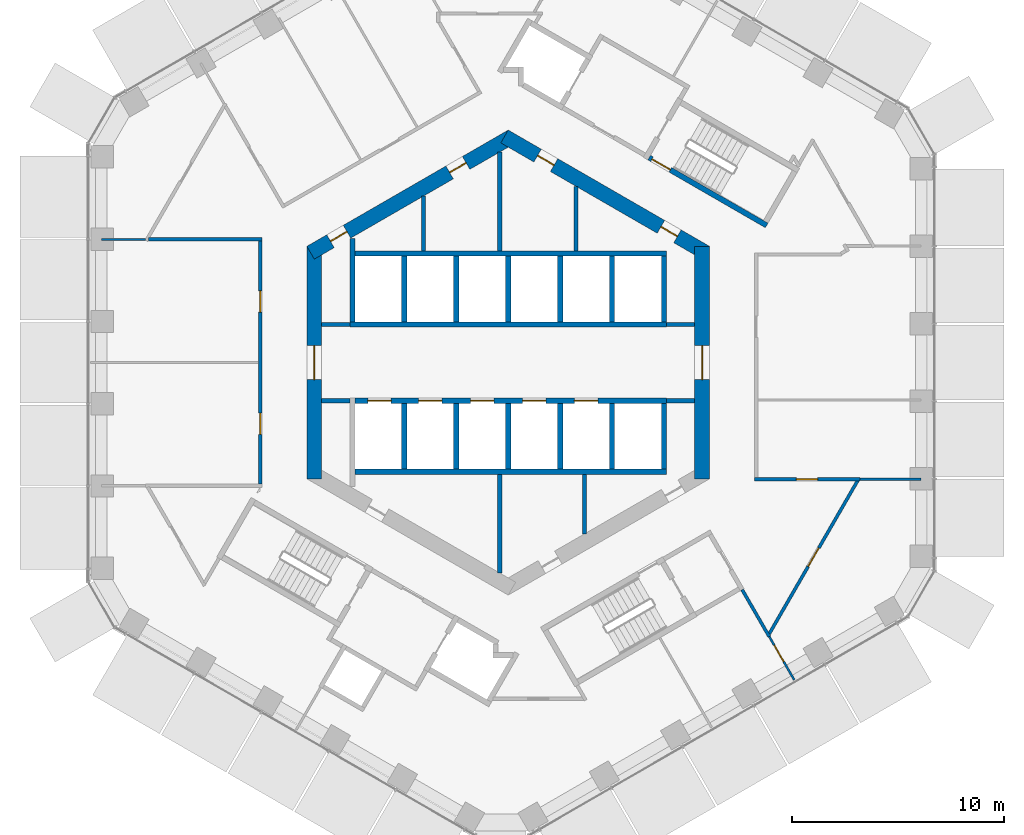
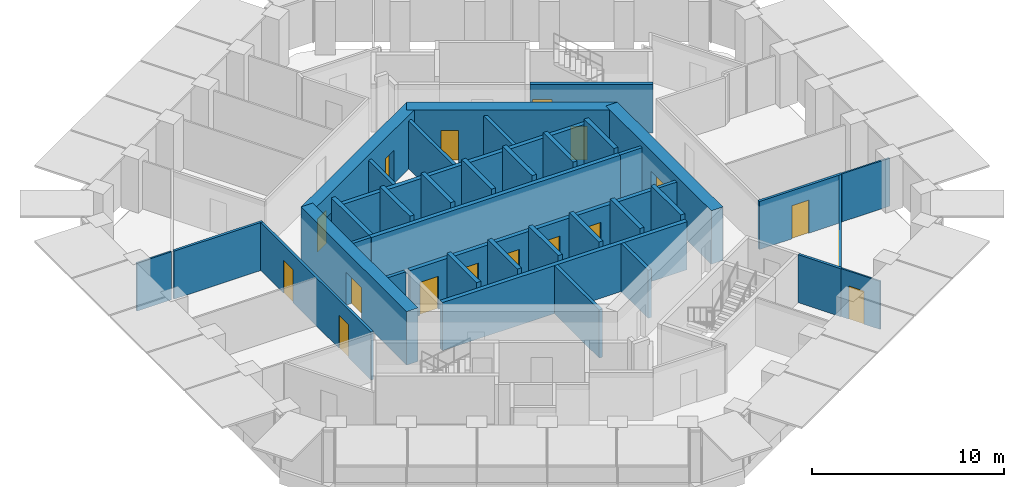
# One storey, part 14 of 19: 39 walls, 17 doors, 17 openings.
"""IFC4 building model written with IfcOpenShell, lengths in metres."""

import ifcopenshell
import ifcopenshell.guid

model = None  # the IFC model being written
_history = None  # IfcOwnerHistory: only IFC2X3 demands one
_inside = {}  # id of a spatial element -> (the spatial element, [elements in it])
_under = {}  # id of a project, library or spatial element -> (it, [spatial elements below it])
_declared = {}  # id of a project -> (the project, [libraries it declares])
_typed = {}  # id of a type object -> (the type object, [elements of that type])
_made_of = {}  # id of a material, layer set ... -> (it, [elements and type objects made of it])


def new_model(schema):
    """Start an empty IFC model of exactly this schema.

    Asked for "IFC4X3", IfcOpenShell would pick the latest addendum, in which some entities
    have other attributes; the version numbers below select the first issue.
    IFC2X3 requires an IfcOwnerHistory on every rooted entity: one is made here for all.
    """
    global model, _history
    if schema == "IFC4X3":
        model = ifcopenshell.file(schema_version=(4, 3, 0, 0))
    else:
        model = ifcopenshell.file(schema=schema)
    _inside.clear()
    _under.clear()
    _declared.clear()
    _typed.clear()
    _made_of.clear()
    _history = None
    if model.schema == "IFC2X3":
        org = make("IfcOrganization", Name="unknown")
        user = make(
            "IfcPersonAndOrganization",
            ThePerson=make("IfcPerson", FamilyName="unknown"),
            TheOrganization=org,
        )
        app = make(
            "IfcApplication",
            ApplicationDeveloper=org,
            Version="unknown",
            ApplicationFullName="unknown",
            ApplicationIdentifier="unknown",
        )
        _history = make(
            "IfcOwnerHistory",
            OwningUser=user,
            OwningApplication=app,
            ChangeAction="ADDED",
            CreationDate=0,
        )
    return model


def make(cls, **values):
    """One entity of the class cls with the attributes given. An attribute that is None is left unset."""
    return model.create_entity(
        cls, **{name: value for name, value in values.items() if value is not None}
    )


def rooted(cls, **values):
    """An entity with a GlobalId (a new one), such as an element, a storey or a relation."""
    return make(cls, GlobalId=ifcopenshell.guid.new(), OwnerHistory=_history, **values)


def si_unit(unit_type, name, prefix=None):
    """IfcSIUnit, for example si_unit("LENGTHUNIT", "METRE", prefix="MILLI")."""
    return make("IfcSIUnit", UnitType=unit_type, Prefix=prefix, Name=name)


def assignment(units):
    """IfcUnitAssignment: the units of a project."""
    return None if units is None else make("IfcUnitAssignment", Units=units)


def point(xyz):
    """IfcCartesianPoint."""
    return None if xyz is None else make("IfcCartesianPoint", Coordinates=xyz)


def direction(xyz):
    """IfcDirection."""
    return None if xyz is None else make("IfcDirection", DirectionRatios=xyz)


def frame(location, z_axis=None, x_axis=None):
    """IfcAxis2Placement3D, a coordinate frame: its origin and axes. An axis left out is left unset."""
    return make(
        "IfcAxis2Placement3D",
        Location=point(location),
        Axis=direction(z_axis),
        RefDirection=direction(x_axis),
    )


def frame_2d(location, x_axis=None):
    """IfcAxis2Placement2D, a coordinate frame in the plane: its origin and x axis."""
    return make(
        "IfcAxis2Placement2D", Location=point(location), RefDirection=direction(x_axis)
    )


def origin():
    """The frame at (0, 0, 0) with its axes left unset."""
    return frame((0.0, 0.0, 0.0))


def place(relative_to, where):
    """IfcLocalPlacement: puts the frame where relative to a parent placement (None: the world)."""
    return make(
        "IfcLocalPlacement", PlacementRelTo=relative_to, RelativePlacement=where
    )


def context(
    kind, dimensions, precision=None, world=None, true_north=None, identifier=None
):
    """IfcGeometricRepresentationContext, for example the 3D "Model" context."""
    return make(
        "IfcGeometricRepresentationContext",
        ContextIdentifier=identifier,
        ContextType=kind,
        CoordinateSpaceDimension=dimensions,
        Precision=precision,
        WorldCoordinateSystem=world,
        TrueNorth=true_north,
    )


def subcontext(parent, identifier, kind, view, scale=None):
    """IfcGeometricRepresentationSubContext, for example "Body" below "Model"."""
    return make(
        "IfcGeometricRepresentationSubContext",
        ContextIdentifier=identifier,
        ContextType=kind,
        ParentContext=parent,
        TargetScale=scale,
        TargetView=view,
    )


def project(units=None, contexts=None):
    """IfcProject with its units and contexts."""
    return rooted(
        "IfcProject",
        Name="project",
        RepresentationContexts=contexts,
        UnitsInContext=assignment(units),
    )


def spatial(cls, under=None, at=None, **own):
    """A site, building, storey or space (cls), placed at a placement, below another one or the project."""
    s = rooted(cls, ObjectPlacement=at, **own)
    if under is not None:
        _under.setdefault(under.id(), (under, []))[1].append(s)
    return s


def profile(cls, at=None, kind="AREA", **sizes):
    """A parametric profile (cls). Its sizes go by their IFC names, for example OverallWidth=200.0."""
    return make(cls, ProfileType=kind, Position=at, **sizes)


def rectangle(**sizes):
    """IfcRectangleProfileDef."""
    return profile("IfcRectangleProfileDef", **sizes)


def extrude(swept, where, along, depth):
    """IfcExtrudedAreaSolid: the profile swept, set in the frame where, extruded along a direction by depth."""
    return make(
        "IfcExtrudedAreaSolid",
        SweptArea=swept,
        Position=where,
        ExtrudedDirection=direction(along),
        Depth=depth,
    )


def shape(context_of_items, identifier, shape_type, items):
    """IfcShapeRepresentation: the items that make up one representation, for example the "Body"."""
    return make(
        "IfcShapeRepresentation",
        ContextOfItems=context_of_items,
        RepresentationIdentifier=identifier,
        RepresentationType=shape_type,
        Items=items,
    )


def material(Name=None, Category=None):
    """IfcMaterial."""
    return make("IfcMaterial", Name=Name, Category=Category)


def layer(
    of_material, thickness, ventilated=None, Name=None, Category=None, Priority=None
):
    """IfcMaterialLayer: one layer of a wall or slab, of a material (None: an air gap)."""
    return make(
        "IfcMaterialLayer",
        Material=of_material,
        LayerThickness=thickness,
        IsVentilated=ventilated,
        Name=Name,
        Category=Category,
        Priority=Priority,
    )


def layer_set(layers, Name=None):
    """IfcMaterialLayerSet."""
    return make("IfcMaterialLayerSet", MaterialLayers=layers, LayerSetName=Name)


def made_of(thing, what):
    """Note that an element or type object is made of a material, layer set ...; save() writes the relation."""
    if what is not None:
        _made_of.setdefault(what.id(), (what, []))[1].append(thing)
    return thing


def type_object(cls, material=None, **own):
    """A type object (cls), such as IfcWallType, which elements share."""
    return made_of(rooted(cls, **own), material)


def element(
    cls,
    number,
    at=None,
    inside=None,
    cuts=None,
    type_object=None,
    material=None,
    context=None,
    identifier="Body",
    shape_type=None,
    held_by="IfcProductDefinitionShape",
    body=None,
    shapes=None,
    **own,
):
    """One element of the class cls, such as IfcWall. Its Tag is "e" and its number.

    at: its placement. inside: the storey or other place that contains it. cuts: it is an
    opening in that element (IfcRelVoidsElement). A single representation is given by context,
    identifier, shape_type and body (its items); several are given by shapes. held_by: the class
    of the entity that holds the representations. save() writes the other relations.
    """
    e = rooted(cls, Tag="e%d" % number, ObjectPlacement=at, **own)
    if body is not None:
        shapes = [shape(context, identifier, shape_type, body)]
    if shapes is not None:
        e.Representation = make(held_by, Representations=shapes)
    if inside is not None:
        _inside.setdefault(inside.id(), (inside, []))[1].append(e)
    if cuts is not None:
        rooted(
            "IfcRelVoidsElement", RelatingBuildingElement=cuts, RelatedOpeningElement=e
        )
    if type_object is not None:
        _typed.setdefault(type_object.id(), (type_object, []))[1].append(e)
    return made_of(e, material)


def fill(opening, filler):
    """IfcRelFillsElement: the door or window that sits in an opening."""
    return rooted(
        "IfcRelFillsElement",
        RelatingOpeningElement=opening,
        RelatedBuildingElement=filler,
    )


def aggregate(whole, parts):
    """IfcRelAggregates: a whole, such as a stair, and the parts it consists of."""
    return rooted("IfcRelAggregates", RelatingObject=whole, RelatedObjects=parts)


def save(model, path):
    """Write the relations noted so far, then the file.

    IfcRelAggregates (storeys below a building ...), IfcRelContainedInSpatialStructure (elements
    in a storey), IfcRelDefinesByType, IfcRelAssociatesMaterial and IfcRelDeclares: one each for
    every whole, place, type object, material and project.
    """
    for whole, parts in _under.values():
        aggregate(whole, parts)
    for where, things in _inside.values():
        rooted(
            "IfcRelContainedInSpatialStructure",
            RelatedElements=things,
            RelatingStructure=where,
        )
    for kind, things in _typed.values():
        rooted("IfcRelDefinesByType", RelatedObjects=things, RelatingType=kind)
    for what, things in _made_of.values():
        rooted("IfcRelAssociatesMaterial", RelatedObjects=things, RelatingMaterial=what)
    for by, libraries in _declared.values():
        rooted("IfcRelDeclares", RelatingContext=by, RelatedDefinitions=libraries)
    model.write(path)


model = new_model("IFC4")

# Units and contexts
model_context = context("Model", 3, precision=1e-05, world=origin(), true_north=direction((0.0, 1.0)))
body_context = subcontext(model_context, "Body", "Model", "MODEL_VIEW")
ifc_project = project(units=[si_unit("LENGTHUNIT", "METRE"), si_unit("AREAUNIT", "SQUARE_METRE"), si_unit("VOLUMEUNIT", "CUBIC_METRE"), si_unit("PLANEANGLEUNIT", "RADIAN"), si_unit("MASSUNIT", "GRAM", prefix="KILO")], contexts=[model_context])

# Site, building, storey
site_placement = place(None, origin())
site = spatial("IfcSite", under=ifc_project, at=site_placement, CompositionType="ELEMENT")
building_placement = place(site_placement, origin())
building = spatial("IfcBuilding", under=site, at=building_placement, Name="Ayvan Gate Tower", CompositionType="ELEMENT")
storey_placement = place(building_placement, frame((0.0, 0.0, 100.10009765625)))
storey = spatial("IfcBuildingStorey", under=building, at=storey_placement, Name="L26", CompositionType="ELEMENT", Elevation=100.10009765625)

# Wall, opening, door
ifc_material_1 = material(Name="Concrete C70/85", Category="concrete")
ifc_layer_1 = layer(ifc_material_1, 0.699951171875)
ifc_layer_set_1 = layer_set([ifc_layer_1], Name="Concrete C70/85")
wall_type_1 = type_object("IfcWallType", Name="Core wall 700 C70/85", PredefinedType="SHEAR", material=ifc_layer_set_1)
wall_1_placement = place(storey_placement, frame((9.14990234375, -5.48486328125, 0.0), z_axis=(0.0, 0.0, 1.0), x_axis=(0.0, 1.0, 0.0)))
wall_1 = element("IfcWall", 1, at=wall_1_placement, inside=storey, type_object=wall_type_1, Name="CORE-L26-0", PredefinedType="SHEAR", context=body_context, shape_type="SweptSolid", body=[
    extrude(rectangle(XDim=10.9697265625, YDim=0.699951171875, at=frame_2d((5.48486328125, 0.0))), origin(), (0.0, 0.0, 1.0), 3.39990234375),
])
opening_1_placement = place(wall_1_placement, frame((4.684814453125, 0.0, 0.0)))
opening_1 = element("IfcOpeningElement", 2, at=opening_1_placement, cuts=wall_1, Name="Opening L26-D39", PredefinedType="OPENING", context=body_context, shape_type="SweptSolid", body=[
    extrude(rectangle(XDim=1.60009765625, YDim=2.10009765625, at=frame_2d((0.800048828125, 1.050048828125))), frame((0.0, 0.35986328125, 0.0), z_axis=(0.0, -1.0, 0.0), x_axis=(1.0, 0.0, 0.0)), (0.0, 0.0, 1.0), 0.719970703125),
])
ifc_material_2 = material(Name="Timber door leaf", Category="wood")
door_type_1 = type_object("IfcDoorType", Name="DT-1600", OperationType="NOTDEFINED", PredefinedType="DOOR", material=ifc_material_2)
door_1_placement = place(opening_1_placement, origin())
door_1 = element("IfcDoor", 3, at=door_1_placement, inside=storey, type_object=door_type_1, Name="CD-L26-39", OperationType="SINGLE_SWING_LEFT", OverallHeight=2.10009765625, OverallWidth=1.60009765625, PredefinedType="DOOR", context=body_context, shape_type="SweptSolid", body=[
    extrude(rectangle(XDim=1.60009765625, YDim=2.10009765625, at=frame_2d((0.800048828125, 1.050048828125))), frame((0.0, 0.02490234375, 0.0), z_axis=(0.0, -1.0, 0.0), x_axis=(1.0, 0.0, 0.0)), (0.0, 0.0, 1.0), 0.050048828125),
])
fill(opening_1, door_1)

# Wall, openings, doors
wall_2_placement = place(storey_placement, frame((9.324951171875, 5.181640625, 0.0), z_axis=(0.0, 0.0, 1.0), x_axis=(-0.866023993627, 0.500002442456, 0.0)))
wall_2 = element("IfcWall", 4, at=wall_2_placement, inside=storey, type_object=wall_type_1, Name="CORE-L26-1", PredefinedType="SHEAR", context=body_context, shape_type="SweptSolid", body=[
    extrude(rectangle(XDim=10.9697265625, YDim=0.699951171875, at=frame_2d((5.48486328125, 0.0))), origin(), (0.0, 0.0, 1.0), 3.39990234375),
])
opening_2_placement = place(wall_2_placement, frame((8.267333984375, 0.0, 0.0)))
opening_2 = element("IfcOpeningElement", 5, at=opening_2_placement, cuts=wall_2, Name="Opening L26-D34", PredefinedType="OPENING", context=body_context, shape_type="SweptSolid", body=[
    extrude(rectangle(XDim=0.89990234375, YDim=2.10009765625, at=frame_2d((0.449951171875, 1.050048828125))), frame((0.0, 0.35986328125, 0.0), z_axis=(0.0, -1.0, 0.0), x_axis=(1.0, 0.0, 0.0)), (0.0, 0.0, 1.0), 0.719970703125),
])
opening_3_placement = place(wall_2_placement, frame((1.547119140625, 0.0, 0.0)))
opening_3 = element("IfcOpeningElement", 6, at=opening_3_placement, cuts=wall_2, Name="Opening L26-D35", PredefinedType="OPENING", context=body_context, shape_type="SweptSolid", body=[
    extrude(rectangle(XDim=0.89990234375, YDim=2.10009765625, at=frame_2d((0.449951171875, 1.050048828125))), frame((0.0, 0.35986328125, 0.0), z_axis=(0.0, -1.0, 0.0), x_axis=(1.0, 0.0, 0.0)), (0.0, 0.0, 1.0), 0.719970703125),
])
door_type_2 = type_object("IfcDoorType", Name="DT-900", OperationType="NOTDEFINED", PredefinedType="DOOR", material=ifc_material_2)
door_2_placement = place(opening_2_placement, origin())
door_2 = element("IfcDoor", 7, at=door_2_placement, inside=storey, type_object=door_type_2, Name="CD-L26-34", OperationType="SINGLE_SWING_RIGHT", OverallHeight=2.10009765625, OverallWidth=0.89990234375, PredefinedType="DOOR", context=body_context, shape_type="SweptSolid", body=[
    extrude(rectangle(XDim=0.89990234375, YDim=2.10009765625, at=frame_2d((0.449951171875, 1.050048828125))), frame((0.0, 0.02490234375, 0.0), z_axis=(0.0, -1.0, 0.0), x_axis=(1.0, 0.0, 0.0)), (0.0, 0.0, 1.0), 0.050048828125),
])
fill(opening_2, door_2)
door_3_placement = place(opening_3_placement, origin())
door_3 = element("IfcDoor", 8, at=door_3_placement, inside=storey, type_object=door_type_2, Name="CD-L26-35", OperationType="SINGLE_SWING_LEFT", OverallHeight=2.10009765625, OverallWidth=0.89990234375, PredefinedType="DOOR", context=body_context, shape_type="SweptSolid", body=[
    extrude(rectangle(XDim=0.89990234375, YDim=2.10009765625, at=frame_2d((0.449951171875, 1.050048828125))), frame((0.0, 0.02490234375, 0.0), z_axis=(0.0, -1.0, 0.0), x_axis=(1.0, 0.0, 0.0)), (0.0, 0.0, 1.0), 0.050048828125),
])
fill(opening_3, door_3)

wall_3_placement = place(storey_placement, frame((0.175048828125, 10.66650390625, 0.0), z_axis=(0.0, 0.0, 1.0), x_axis=(-0.866023993627, -0.500002442456, 0.0)))
wall_3 = element("IfcWall", 9, at=wall_3_placement, inside=storey, type_object=wall_type_1, Name="CORE-L26-2", PredefinedType="SHEAR", context=body_context, shape_type="SweptSolid", body=[
    extrude(rectangle(XDim=10.9697265625, YDim=0.699951171875, at=frame_2d((5.48486328125, 0.0))), origin(), (0.0, 0.0, 1.0), 3.39990234375),
])
opening_4_placement = place(wall_3_placement, frame((8.984619140625, 0.0, 0.0)))
opening_4 = element("IfcOpeningElement", 10, at=opening_4_placement, cuts=wall_3, Name="Opening L26-D32", PredefinedType="OPENING", context=body_context, shape_type="SweptSolid", body=[
    extrude(rectangle(XDim=0.89990234375, YDim=2.10009765625, at=frame_2d((0.449951171875, 1.050048828125))), frame((0.0, 0.35986328125, 0.0), z_axis=(0.0, -1.0, 0.0), x_axis=(1.0, 0.0, 0.0)), (0.0, 0.0, 1.0), 0.719970703125),
])
opening_5_placement = place(wall_3_placement, frame((2.4951171875, 0.0, 0.0)))
opening_5 = element("IfcOpeningElement", 11, at=opening_5_placement, cuts=wall_3, Name="Opening L26-D33", PredefinedType="OPENING", context=body_context, shape_type="SweptSolid", body=[
    extrude(rectangle(XDim=0.89990234375, YDim=2.10009765625, at=frame_2d((0.449951171875, 1.050048828125))), frame((0.0, 0.35986328125, 0.0), z_axis=(0.0, -1.0, 0.0), x_axis=(1.0, 0.0, 0.0)), (0.0, 0.0, 1.0), 0.719970703125),
])
door_4_placement = place(opening_4_placement, origin())
door_4 = element("IfcDoor", 12, at=door_4_placement, inside=storey, type_object=door_type_2, Name="CD-L26-32", OperationType="SINGLE_SWING_RIGHT", OverallHeight=2.10009765625, OverallWidth=0.89990234375, PredefinedType="DOOR", context=body_context, shape_type="SweptSolid", body=[
    extrude(rectangle(XDim=0.89990234375, YDim=2.10009765625, at=frame_2d((0.449951171875, 1.050048828125))), frame((0.0, 0.02490234375, 0.0), z_axis=(0.0, -1.0, 0.0), x_axis=(1.0, 0.0, 0.0)), (0.0, 0.0, 1.0), 0.050048828125),
])
fill(opening_4, door_4)
door_5_placement = place(opening_5_placement, origin())
door_5 = element("IfcDoor", 13, at=door_5_placement, inside=storey, type_object=door_type_2, Name="CD-L26-33", OperationType="SINGLE_SWING_LEFT", OverallHeight=2.10009765625, OverallWidth=0.89990234375, PredefinedType="DOOR", context=body_context, shape_type="SweptSolid", body=[
    extrude(rectangle(XDim=0.89990234375, YDim=2.10009765625, at=frame_2d((0.449951171875, 1.050048828125))), frame((0.0, 0.02490234375, 0.0), z_axis=(0.0, -1.0, 0.0), x_axis=(1.0, 0.0, 0.0)), (0.0, 0.0, 1.0), 0.050048828125),
])
fill(opening_5, door_5)

# Wall, opening, door
wall_4_placement = place(storey_placement, frame((-9.14990234375, 5.48486328125, 0.0), z_axis=(0.0, 0.0, 1.0), x_axis=(0.0, -1.0, 0.0)))
wall_4 = element("IfcWall", 14, at=wall_4_placement, inside=storey, type_object=wall_type_1, Name="CORE-L26-3", PredefinedType="SHEAR", context=body_context, shape_type="SweptSolid", body=[
    extrude(rectangle(XDim=10.9697265625, YDim=0.699951171875, at=frame_2d((5.48486328125, 0.0))), origin(), (0.0, 0.0, 1.0), 3.39990234375),
])
opening_6_placement = place(wall_4_placement, frame((4.684814453125, 0.0, 0.0)))
opening_6 = element("IfcOpeningElement", 15, at=opening_6_placement, cuts=wall_4, Name="Opening L26-D40", PredefinedType="OPENING", context=body_context, shape_type="SweptSolid", body=[
    extrude(rectangle(XDim=1.60009765625, YDim=2.10009765625, at=frame_2d((0.800048828125, 1.050048828125))), frame((0.0, 0.35986328125, 0.0), z_axis=(0.0, -1.0, 0.0), x_axis=(1.0, 0.0, 0.0)), (0.0, 0.0, 1.0), 0.719970703125),
])
door_6_placement = place(opening_6_placement, origin())
door_6 = element("IfcDoor", 16, at=door_6_placement, inside=storey, type_object=door_type_1, Name="CD-L26-40", OperationType="SINGLE_SWING_RIGHT", OverallHeight=2.10009765625, OverallWidth=1.60009765625, PredefinedType="DOOR", context=body_context, shape_type="SweptSolid", body=[
    extrude(rectangle(XDim=1.60009765625, YDim=2.10009765625, at=frame_2d((0.800048828125, 1.050048828125))), frame((0.0, 0.02490234375, 0.0), z_axis=(0.0, -1.0, 0.0), x_axis=(1.0, 0.0, 0.0)), (0.0, 0.0, 1.0), 0.050048828125),
])
fill(opening_6, door_6)

# Wall
ifc_material_3 = material(Name="Plasterboard on steel stud", Category="steel")
ifc_layer_2 = layer(ifc_material_3, 0.14990234375)
ifc_layer_set_2 = layer_set([ifc_layer_2], Name="Plasterboard on steel stud")
wall_type_2 = type_object("IfcWallType", Name="WT-CORR-150", PredefinedType="PARTITIONING", material=ifc_layer_set_2)
wall_5_placement = place(storey_placement, frame((-11.625, 5.813720703125, 0.0), z_axis=(0.0, 0.0, 1.0), x_axis=(-1.0, 0.0, 0.0)))
element("IfcWall", 17, at=wall_5_placement, inside=storey, type_object=wall_type_2, Name="IW-L26-011", PredefinedType="PARTITIONING", context=body_context, shape_type="SweptSolid", body=[
    extrude(rectangle(XDim=5.3408203125, YDim=0.14990234375, at=frame_2d((2.67041015625, 0.0))), origin(), (0.0, 0.0, 1.0), 3.0498046875),
])

# Wall, openings, doors
wall_6_placement = place(storey_placement, frame((-11.699951171875, -5.738525390625, 0.0), z_axis=(0.0, 0.0, 1.0), x_axis=(0.0, 1.0, 0.0)))
wall_6 = element("IfcWall", 18, at=wall_6_placement, inside=storey, type_object=wall_type_2, Name="IW-L26-012", PredefinedType="PARTITIONING", context=body_context, shape_type="SweptSolid", body=[
    extrude(rectangle(XDim=11.47705078125, YDim=0.14990234375, at=frame_2d((5.738525390625, 0.0))), origin(), (0.0, 0.0, 1.0), 3.0498046875),
])
opening_7_placement = place(wall_6_placement, frame((8.122802734375, 0.0, 0.0)))
opening_7 = element("IfcOpeningElement", 19, at=opening_7_placement, cuts=wall_6, Name="Opening L26-D23", PredefinedType="OPENING", context=body_context, shape_type="SweptSolid", body=[
    extrude(rectangle(XDim=1.0, YDim=2.10009765625, at=frame_2d((0.5, 1.050048828125))), frame((0.0, 0.0849609375, 0.0), z_axis=(0.0, -1.0, 0.0), x_axis=(1.0, 0.0, 0.0)), (0.0, 0.0, 1.0), 0.169921875),
])
opening_8_placement = place(wall_6_placement, frame((2.354248046875, 0.0, 0.0)))
opening_8 = element("IfcOpeningElement", 20, at=opening_8_placement, cuts=wall_6, Name="Opening L26-D24", PredefinedType="OPENING", context=body_context, shape_type="SweptSolid", body=[
    extrude(rectangle(XDim=1.0, YDim=2.10009765625, at=frame_2d((0.5, 1.050048828125))), frame((0.0, 0.0849609375, 0.0), z_axis=(0.0, -1.0, 0.0), x_axis=(1.0, 0.0, 0.0)), (0.0, 0.0, 1.0), 0.169921875),
])
door_type_3 = type_object("IfcDoorType", Name="DT-1000", OperationType="NOTDEFINED", PredefinedType="DOOR", material=ifc_material_2)
door_7_placement = place(opening_7_placement, origin())
door_7 = element("IfcDoor", 21, at=door_7_placement, inside=storey, type_object=door_type_3, Name="ID-L26-023", OperationType="SINGLE_SWING_LEFT", OverallHeight=2.10009765625, OverallWidth=1.0, PredefinedType="DOOR", context=body_context, shape_type="SweptSolid", body=[
    extrude(rectangle(XDim=1.0, YDim=2.10009765625, at=frame_2d((0.5, 1.050048828125))), frame((0.0, 0.02490234375, 0.0), z_axis=(0.0, -1.0, 0.0), x_axis=(1.0, 0.0, 0.0)), (0.0, 0.0, 1.0), 0.050048828125),
])
fill(opening_7, door_7)
door_8_placement = place(opening_8_placement, origin())
door_8 = element("IfcDoor", 22, at=door_8_placement, inside=storey, type_object=door_type_3, Name="ID-L26-024", OperationType="SINGLE_SWING_RIGHT", OverallHeight=2.10009765625, OverallWidth=1.0, PredefinedType="DOOR", context=body_context, shape_type="SweptSolid", body=[
    extrude(rectangle(XDim=1.0, YDim=2.10009765625, at=frame_2d((0.5, 1.050048828125))), frame((0.0, 0.02490234375, 0.0), z_axis=(0.0, -1.0, 0.0), x_axis=(1.0, 0.0, 0.0)), (0.0, 0.0, 1.0), 0.050048828125),
])
fill(opening_8, door_8)

# Wall, opening, door
wall_7_placement = place(storey_placement, frame((11.625, -5.505126953125, 0.0), z_axis=(0.0, 0.0, 1.0), x_axis=(1.0, 0.0, 0.0)))
wall_7 = element("IfcWall", 23, at=wall_7_placement, inside=storey, type_object=wall_type_2, Name="IW-L26-090", PredefinedType="PARTITIONING", context=body_context, shape_type="SweptSolid", body=[
    extrude(rectangle(XDim=4.97607421875, YDim=0.14990234375, at=frame_2d((2.488037109375, 0.0))), origin(), (0.0, 0.0, 1.0), 3.0498046875),
])
opening_9_placement = place(wall_7_placement, frame((1.970703125, 0.0, 0.0)))
opening_9 = element("IfcOpeningElement", 24, at=opening_9_placement, cuts=wall_7, Name="Opening L26-D17", PredefinedType="OPENING", context=body_context, shape_type="SweptSolid", body=[
    extrude(rectangle(XDim=1.0, YDim=2.10009765625, at=frame_2d((0.5, 1.050048828125))), frame((0.0, 0.0849609375, 0.0), z_axis=(0.0, -1.0, 0.0), x_axis=(1.0, 0.0, 0.0)), (0.0, 0.0, 1.0), 0.169921875),
])
door_9_placement = place(opening_9_placement, origin())
door_9 = element("IfcDoor", 25, at=door_9_placement, inside=storey, type_object=door_type_3, Name="ID-L26-017", OperationType="SINGLE_SWING_LEFT", OverallHeight=2.10009765625, OverallWidth=1.0, PredefinedType="DOOR", context=body_context, shape_type="SweptSolid", body=[
    extrude(rectangle(XDim=1.0, YDim=2.10009765625, at=frame_2d((0.5, 1.050048828125))), frame((0.0, 0.02490234375, 0.0), z_axis=(0.0, -1.0, 0.0), x_axis=(1.0, 0.0, 0.0)), (0.0, 0.0, 1.0), 0.050048828125),
])
fill(opening_9, door_9)

# Wall
wall_8_placement = place(storey_placement, frame((12.314697265625, -12.929443359375, 0.0), z_axis=(0.0, 0.0, 1.0), x_axis=(-0.500003717096, 0.866023257707, 0.0)))
element("IfcWall", 26, at=wall_8_placement, inside=storey, type_object=wall_type_2, Name="IW-L26-094", PredefinedType="PARTITIONING", context=body_context, shape_type="SweptSolid", body=[
    extrude(rectangle(XDim=2.5546875, YDim=0.14990234375, at=frame_2d((1.27734375, 0.0))), origin(), (0.0, 0.0, 1.0), 3.0498046875),
])

# Wall, opening, door
wall_9_placement = place(storey_placement, frame((16.488525390625, -5.570068359375, 0.0), z_axis=(0.0, 0.0, 1.0), x_axis=(-0.499989116703, -0.866031687168, 0.0)))
wall_9 = element("IfcWall", 27, at=wall_9_placement, inside=storey, type_object=wall_type_2, Name="IW-L26-104", PredefinedType="PARTITIONING", context=body_context, shape_type="SweptSolid", body=[
    extrude(rectangle(XDim=8.347900390625, YDim=0.14990234375, at=frame_2d((4.173828125, 0.0))), origin(), (0.0, 0.0, 1.0), 3.0498046875),
])
opening_10_placement = place(wall_9_placement, frame((3.673828125, 0.0, 0.0)))
opening_10 = element("IfcOpeningElement", 28, at=opening_10_placement, cuts=wall_9, Name="Opening L26-D27", PredefinedType="OPENING", context=body_context, shape_type="SweptSolid", body=[
    extrude(rectangle(XDim=1.0, YDim=2.10009765625, at=frame_2d((0.5, 1.050048828125))), frame((0.0, 0.0849609375, 0.0), z_axis=(0.0, -1.0, 0.0), x_axis=(1.0, 0.0, 0.0)), (0.0, 0.0, 1.0), 0.169921875),
])
door_10_placement = place(opening_10_placement, origin())
door_10 = element("IfcDoor", 29, at=door_10_placement, inside=storey, type_object=door_type_3, Name="ID-L26-027", OperationType="SINGLE_SWING_LEFT", OverallHeight=2.10009765625, OverallWidth=1.0, PredefinedType="DOOR", context=body_context, shape_type="SweptSolid", body=[
    extrude(rectangle(XDim=1.0, YDim=2.10009765625, at=frame_2d((0.5, 1.050048828125))), frame((0.0, 0.02490234375, 0.0), z_axis=(0.0, -1.0, 0.0), x_axis=(1.0, 0.0, 0.0)), (0.0, 0.0, 1.0), 0.050048828125),
])
fill(opening_10, door_10)

# Wall
ifc_layer_3 = layer(ifc_material_3, 0.10009765625)
ifc_layer_set_3 = layer_set([ifc_layer_3], Name="Plasterboard on steel stud")
wall_type_3 = type_object("IfcWallType", Name="WT-PART-100", PredefinedType="PARTITIONING", material=ifc_layer_set_3)
wall_10_placement = place(storey_placement, frame((-17.11572265625, 5.813720703125, 0.0), z_axis=(0.0, 0.0, 1.0), x_axis=(-1.0, 0.0, 0.0)))
element("IfcWall", 30, at=wall_10_placement, inside=storey, type_object=wall_type_3, Name="IW-L26-002", PredefinedType="PARTITIONING", context=body_context, shape_type="SweptSolid", body=[
    extrude(rectangle(XDim=2.072998046875, YDim=0.10009765625, at=frame_2d((1.03662109375, 0.0))), origin(), (0.0, 0.0, 1.0), 3.0498046875),
])

# Wall, opening, door
wall_11_placement = place(storey_placement, frame((13.4921875, -14.96923828125, 0.0), z_axis=(0.0, 0.0, 1.0), x_axis=(-0.499940797434, 0.866059581704, 0.0)))
wall_11 = element("IfcWall", 31, at=wall_11_placement, inside=storey, type_object=wall_type_3, Name="IW-L26-095", PredefinedType="PARTITIONING", context=body_context, shape_type="SweptSolid", body=[
    extrude(rectangle(XDim=2.355224609375, YDim=0.10009765625, at=frame_2d((1.177734375, 0.0))), origin(), (0.0, 0.0, 1.0), 3.0498046875),
])
opening_11_placement = place(wall_11_placement, frame((0.988037109375, 0.0, 0.0)))
opening_11 = element("IfcOpeningElement", 32, at=opening_11_placement, cuts=wall_11, Name="Opening L26-D28", PredefinedType="OPENING", context=body_context, shape_type="SweptSolid", body=[
    extrude(rectangle(XDim=0.89990234375, YDim=2.10009765625, at=frame_2d((0.449951171875, 1.050048828125))), frame((0.0, 0.06005859375, 0.0), z_axis=(0.0, -1.0, 0.0), x_axis=(1.0, 0.0, 0.0)), (0.0, 0.0, 1.0), 0.1201171875),
])
door_11_placement = place(opening_11_placement, origin())
door_11 = element("IfcDoor", 33, at=door_11_placement, inside=storey, type_object=door_type_2, Name="ID-L26-028", OperationType="SINGLE_SWING_RIGHT", OverallHeight=2.10009765625, OverallWidth=0.89990234375, PredefinedType="DOOR", context=body_context, shape_type="SweptSolid", body=[
    extrude(rectangle(XDim=0.89990234375, YDim=2.10009765625, at=frame_2d((0.449951171875, 1.050048828125))), frame((0.0, 0.02490234375, 0.0), z_axis=(0.0, -1.0, 0.0), x_axis=(1.0, 0.0, 0.0)), (0.0, 0.0, 1.0), 0.050048828125),
])
fill(opening_11, door_11)

# Walls
wall_12_placement = place(storey_placement, frame((19.485595703125, -5.505126953125, 0.0), z_axis=(0.0, 0.0, 1.0), x_axis=(-1.0, 0.0, 0.0)))
element("IfcWall", 34, at=wall_12_placement, inside=storey, type_object=wall_type_3, Name="IW-L26-107", PredefinedType="PARTITIONING", context=body_context, shape_type="SweptSolid", body=[
    extrude(rectangle(XDim=2.884521484375, YDim=0.10009765625, at=frame_2d((1.4423828125, 0.0))), origin(), (0.0, 0.0, 1.0), 3.0498046875),
])
ifc_layer_4 = layer(ifc_material_3, 0.199951171875)
ifc_layer_set_4 = layer_set([ifc_layer_4], Name="Plasterboard on steel stud")
wall_type_4 = type_object("IfcWallType", Name="WT-RATED-200", PredefinedType="PARTITIONING", material=ifc_layer_set_4)
for number, where, z_axis, x_axis, name in (
    (35, (-8.800048828125, 1.800048828125, 0.0), (0.0, 0.0, 1.0), (1.0, 0.0, 0.0), "IW-L26-015"),
    (36, (-7.474853515625, -1.800048828125, 0.0), (0.0, 0.0, 1.0), (-1.0, 0.0, 0.0), "IW-L26-024"),
):
    element("IfcWall", number, at=place(storey_placement, frame(where, z_axis=z_axis, x_axis=x_axis)), inside=storey, type_object=wall_type_4, Name=name, PredefinedType="PARTITIONING", context=body_context, shape_type="SweptSolid", body=[
        extrude(rectangle(XDim=1.3251953125, YDim=0.199951171875, at=frame_2d((0.66259765625, 0.0))), origin(), (0.0, 0.0, 1.0), 3.0498046875),
    ])
wall_13_placement = place(storey_placement, frame((-4.0, 7.85205078125, 0.0), z_axis=(0.0, 0.0, 1.0), x_axis=(0.0, -1.0, 0.0)))
element("IfcWall", 37, at=wall_13_placement, inside=storey, type_object=wall_type_4, Name="IW-L26-037", PredefinedType="PARTITIONING", context=body_context, shape_type="SweptSolid", body=[
    extrude(rectangle(XDim=2.5771484375, YDim=0.199951171875, at=frame_2d((1.28857421875, 0.0))), origin(), (0.0, 0.0, 1.0), 3.0498046875),
])
for number, where, z_axis, x_axis, name in (
    (38, (-0.39990234375, -5.27490234375, 0.0), (0.0, 0.0, 1.0), (0.0, -1.0, 0.0), "IW-L26-051"),
    (39, (-0.39990234375, 9.930419921875, 0.0), (0.0, 0.0, 1.0), (0.0, -1.0, 0.0), "IW-L26-052"),
):
    element("IfcWall", number, at=place(storey_placement, frame(where, z_axis=z_axis, x_axis=x_axis)), inside=storey, type_object=wall_type_4, Name=name, PredefinedType="PARTITIONING", context=body_context, shape_type="SweptSolid", body=[
        extrude(rectangle(XDim=4.655517578125, YDim=0.199951171875, at=frame_2d((2.32763671875, 0.0))), origin(), (0.0, 0.0, 1.0), 3.0498046875),
    ])
wall_14_placement = place(storey_placement, frame((3.199951171875, 8.313720703125, 0.0), z_axis=(0.0, 0.0, 1.0), x_axis=(0.0, -1.0, 0.0)))
element("IfcWall", 40, at=wall_14_placement, inside=storey, type_object=wall_type_4, Name="IW-L26-067", PredefinedType="PARTITIONING", context=body_context, shape_type="SweptSolid", body=[
    extrude(rectangle(XDim=3.038818359375, YDim=0.199951171875, at=frame_2d((1.51953125, 0.0))), origin(), (0.0, 0.0, 1.0), 3.0498046875),
])
wall_15_placement = place(storey_placement, frame((3.60009765625, -5.27490234375, 0.0), z_axis=(0.0, 0.0, 1.0), x_axis=(0.0, -1.0, 0.0)))
element("IfcWall", 41, at=wall_15_placement, inside=storey, type_object=wall_type_4, Name="IW-L26-069", PredefinedType="PARTITIONING", context=body_context, shape_type="SweptSolid", body=[
    extrude(rectangle(XDim=2.80810546875, YDim=0.199951171875, at=frame_2d((1.404052734375, 0.0))), origin(), (0.0, 0.0, 1.0), 3.0498046875),
])
for number, where, z_axis, x_axis, name in (
    (42, (7.474853515625, 1.800048828125, 0.0), (0.0, 0.0, 1.0), (1.0, 0.0, 0.0), "IW-L26-081"),
    (43, (8.800048828125, -1.800048828125, 0.0), (0.0, 0.0, 1.0), (-1.0, 0.0, 0.0), "IW-L26-087"),
):
    element("IfcWall", number, at=place(storey_placement, frame(where, z_axis=z_axis, x_axis=x_axis)), inside=storey, type_object=wall_type_4, Name=name, PredefinedType="PARTITIONING", context=body_context, shape_type="SweptSolid", body=[
        extrude(rectangle(XDim=1.3251953125, YDim=0.199951171875, at=frame_2d((0.66259765625, 0.0))), origin(), (0.0, 0.0, 1.0), 3.0498046875),
    ])
ifc_material_4 = material(Name="Concrete C50/60", Category="concrete")
ifc_layer_5 = layer(ifc_material_4, 0.25)
ifc_layer_set_5 = layer_set([ifc_layer_5], Name="Concrete C50/60")
wall_type_5 = type_object("IfcWallType", Name="WT-RC-250", PredefinedType="SHEAR", material=ifc_layer_set_5)
wall_16_placement = place(storey_placement, frame((-7.47509765625, 1.800048828125, 0.0), z_axis=(0.0, 0.0, 1.0), x_axis=(1.0, 0.0, 0.0)))
element("IfcWall", 44, at=wall_16_placement, inside=storey, type_object=wall_type_5, Name="IW-L26-020", PredefinedType="SHEAR", context=body_context, shape_type="SweptSolid", body=[
    extrude(rectangle(XDim=14.9501953125, YDim=0.25, at=frame_2d((7.47509765625, 0.0))), origin(), (0.0, 0.0, 1.0), 3.0498046875),
])
wall_17_placement = place(storey_placement, frame((-7.35009765625, 1.925048828125, 0.0), z_axis=(0.0, 0.0, 1.0), x_axis=(0.0, 1.0, 0.0)))
element("IfcWall", 45, at=wall_17_placement, inside=storey, type_object=wall_type_5, Name="IW-L26-022", PredefinedType="SHEAR", context=body_context, shape_type="SweptSolid", body=[
    extrude(rectangle(XDim=3.920654296875, YDim=0.25, at=frame_2d((1.96044921875, 0.0))), origin(), (0.0, 0.0, 1.0), 3.0498046875),
])
for number, where, z_axis, x_axis, name in (
    (46, (-7.22509765625, 5.14990234375, 0.0), (0.0, 0.0, 1.0), (1.0, 0.0, 0.0), "IW-L26-023"),
    (47, (-7.22509765625, -5.14990234375, 0.0), (0.0, 0.0, 1.0), (1.0, 0.0, 0.0), "IW-L26-031"),
):
    element("IfcWall", number, at=place(storey_placement, frame(where, z_axis=z_axis, x_axis=x_axis)), inside=storey, type_object=wall_type_5, Name=name, PredefinedType="SHEAR", context=body_context, shape_type="SweptSolid", body=[
        extrude(rectangle(XDim=14.7001953125, YDim=0.25, at=frame_2d((7.35009765625, 0.0))), origin(), (0.0, 0.0, 1.0), 3.0498046875),
    ])
for number, where, z_axis, x_axis, name in (
    (48, (-4.89990234375, -1.925048828125, 0.0), (0.0, 0.0, 1.0), (0.0, -1.0, 0.0), "IW-L26-032"),
    (49, (-4.89990234375, 5.02490234375, 0.0), (0.0, 0.0, 1.0), (0.0, -1.0, 0.0), "IW-L26-033"),
):
    element("IfcWall", number, at=place(storey_placement, frame(where, z_axis=z_axis, x_axis=x_axis)), inside=storey, type_object=wall_type_5, Name=name, PredefinedType="SHEAR", context=body_context, shape_type="SweptSolid", body=[
        extrude(rectangle(XDim=3.099853515625, YDim=0.25, at=frame_2d((1.5498046875, 0.0))), origin(), (0.0, 0.0, 1.0), 3.39990234375),
    ])

# Wall, openings, doors
wall_18_placement = place(storey_placement, frame((-7.22509765625, -1.800048828125, 0.0), z_axis=(0.0, 0.0, 1.0), x_axis=(1.0, 0.0, 0.0)))
wall_18 = element("IfcWall", 50, at=wall_18_placement, inside=storey, type_object=wall_type_5, Name="IW-L26-034", PredefinedType="SHEAR", context=body_context, shape_type="SweptSolid", body=[
    extrude(rectangle(XDim=14.7001953125, YDim=0.25, at=frame_2d((7.35009765625, 0.0))), origin(), (0.0, 0.0, 1.0), 3.0498046875),
])
opening_12_placement = place(wall_18_placement, frame((0.597412109375, 0.0, 0.0)))
opening_12 = element("IfcOpeningElement", 51, at=opening_12_placement, cuts=wall_18, Name="Opening L26-LD-LR1", PredefinedType="OPENING", context=body_context, shape_type="SweptSolid", body=[
    extrude(rectangle(XDim=1.10009765625, YDim=2.10009765625, at=frame_2d((0.550048828125, 1.050048828125))), frame((0.0, 0.135009765625, 0.0), z_axis=(0.0, -1.0, 0.0), x_axis=(1.0, 0.0, 0.0)), (0.0, 0.0, 1.0), 0.27001953125),
])
opening_13_placement = place(wall_18_placement, frame((3.0, 0.0, 0.0)))
opening_13 = element("IfcOpeningElement", 52, at=opening_13_placement, cuts=wall_18, Name="Opening L26-LD-LR2", PredefinedType="OPENING", context=body_context, shape_type="SweptSolid", body=[
    extrude(rectangle(XDim=1.10009765625, YDim=2.10009765625, at=frame_2d((0.550048828125, 1.050048828125))), frame((0.0, 0.135009765625, 0.0), z_axis=(0.0, -1.0, 0.0), x_axis=(1.0, 0.0, 0.0)), (0.0, 0.0, 1.0), 0.27001953125),
])
opening_14_placement = place(wall_18_placement, frame((5.4501953125, 0.0, 0.0)))
opening_14 = element("IfcOpeningElement", 53, at=opening_14_placement, cuts=wall_18, Name="Opening L26-LD-LR3", PredefinedType="OPENING", context=body_context, shape_type="SweptSolid", body=[
    extrude(rectangle(XDim=1.10009765625, YDim=2.10009765625, at=frame_2d((0.550048828125, 1.050048828125))), frame((0.0, 0.135009765625, 0.0), z_axis=(0.0, -1.0, 0.0), x_axis=(1.0, 0.0, 0.0)), (0.0, 0.0, 1.0), 0.27001953125),
])
opening_15_placement = place(wall_18_placement, frame((7.900146484375, 0.0, 0.0)))
opening_15 = element("IfcOpeningElement", 54, at=opening_15_placement, cuts=wall_18, Name="Opening L26-LD-LR4", PredefinedType="OPENING", context=body_context, shape_type="SweptSolid", body=[
    extrude(rectangle(XDim=1.10009765625, YDim=2.10009765625, at=frame_2d((0.550048828125, 1.050048828125))), frame((0.0, 0.135009765625, 0.0), z_axis=(0.0, -1.0, 0.0), x_axis=(1.0, 0.0, 0.0)), (0.0, 0.0, 1.0), 0.27001953125),
])
opening_16_placement = place(wall_18_placement, frame((10.35009765625, 0.0, 0.0)))
opening_16 = element("IfcOpeningElement", 55, at=opening_16_placement, cuts=wall_18, Name="Opening L26-LD-SV", PredefinedType="OPENING", context=body_context, shape_type="SweptSolid", body=[
    extrude(rectangle(XDim=1.10009765625, YDim=2.10009765625, at=frame_2d((0.550048828125, 1.050048828125))), frame((0.0, 0.135009765625, 0.0), z_axis=(0.0, -1.0, 0.0), x_axis=(1.0, 0.0, 0.0)), (0.0, 0.0, 1.0), 0.27001953125),
])
ifc_material_5 = material(Name="Stainless steel landing door", Category="steel")
door_type_4 = type_object("IfcDoorType", Name="DT-LANDING-1100", OperationType="SLIDING_TO_LEFT", PredefinedType="DOOR", material=ifc_material_5)
door_12_placement = place(opening_12_placement, origin())
door_12 = element("IfcDoor", 56, at=door_12_placement, inside=storey, type_object=door_type_4, Name="ID-L26-001", OperationType="SLIDING_TO_LEFT", OverallHeight=2.10009765625, OverallWidth=1.10009765625, PredefinedType="DOOR", context=body_context, shape_type="SweptSolid", body=[
    extrude(rectangle(XDim=1.10009765625, YDim=2.10009765625, at=frame_2d((0.550048828125, 1.050048828125))), frame((0.0, 0.02490234375, 0.0), z_axis=(0.0, -1.0, 0.0), x_axis=(1.0, 0.0, 0.0)), (0.0, 0.0, 1.0), 0.050048828125),
])
fill(opening_12, door_12)
door_13_placement = place(opening_13_placement, origin())
door_13 = element("IfcDoor", 57, at=door_13_placement, inside=storey, type_object=door_type_4, Name="ID-L26-002", OperationType="SLIDING_TO_LEFT", OverallHeight=2.10009765625, OverallWidth=1.10009765625, PredefinedType="DOOR", context=body_context, shape_type="SweptSolid", body=[
    extrude(rectangle(XDim=1.10009765625, YDim=2.10009765625, at=frame_2d((0.550048828125, 1.050048828125))), frame((0.0, 0.02490234375, 0.0), z_axis=(0.0, -1.0, 0.0), x_axis=(1.0, 0.0, 0.0)), (0.0, 0.0, 1.0), 0.050048828125),
])
fill(opening_13, door_13)
door_14_placement = place(opening_14_placement, origin())
door_14 = element("IfcDoor", 58, at=door_14_placement, inside=storey, type_object=door_type_4, Name="ID-L26-003", OperationType="SLIDING_TO_LEFT", OverallHeight=2.10009765625, OverallWidth=1.10009765625, PredefinedType="DOOR", context=body_context, shape_type="SweptSolid", body=[
    extrude(rectangle(XDim=1.10009765625, YDim=2.10009765625, at=frame_2d((0.550048828125, 1.050048828125))), frame((0.0, 0.02490234375, 0.0), z_axis=(0.0, -1.0, 0.0), x_axis=(1.0, 0.0, 0.0)), (0.0, 0.0, 1.0), 0.050048828125),
])
fill(opening_14, door_14)
door_15_placement = place(opening_15_placement, origin())
door_15 = element("IfcDoor", 59, at=door_15_placement, inside=storey, type_object=door_type_4, Name="ID-L26-004", OperationType="SLIDING_TO_LEFT", OverallHeight=2.10009765625, OverallWidth=1.10009765625, PredefinedType="DOOR", context=body_context, shape_type="SweptSolid", body=[
    extrude(rectangle(XDim=1.10009765625, YDim=2.10009765625, at=frame_2d((0.550048828125, 1.050048828125))), frame((0.0, 0.02490234375, 0.0), z_axis=(0.0, -1.0, 0.0), x_axis=(1.0, 0.0, 0.0)), (0.0, 0.0, 1.0), 0.050048828125),
])
fill(opening_15, door_15)
door_16_placement = place(opening_16_placement, origin())
door_16 = element("IfcDoor", 60, at=door_16_placement, inside=storey, type_object=door_type_4, Name="ID-L26-005", OperationType="SLIDING_TO_LEFT", OverallHeight=2.10009765625, OverallWidth=1.10009765625, PredefinedType="DOOR", context=body_context, shape_type="SweptSolid", body=[
    extrude(rectangle(XDim=1.10009765625, YDim=2.10009765625, at=frame_2d((0.550048828125, 1.050048828125))), frame((0.0, 0.02490234375, 0.0), z_axis=(0.0, -1.0, 0.0), x_axis=(1.0, 0.0, 0.0)), (0.0, 0.0, 1.0), 0.050048828125),
])
fill(opening_16, door_16)

# Walls
for number, where, z_axis, x_axis, name in (
    (61, (-2.449951171875, -1.925048828125, 0.0), (0.0, 0.0, 1.0), (0.0, -1.0, 0.0), "IW-L26-044"),
    (62, (-2.449951171875, 5.02490234375, 0.0), (0.0, 0.0, 1.0), (0.0, -1.0, 0.0), "IW-L26-045"),
    (63, (0.0, -1.925048828125, 0.0), (0.0, 0.0, 1.0), (0.0, -1.0, 0.0), "IW-L26-054"),
    (64, (0.0, 5.02490234375, 0.0), (0.0, 0.0, 1.0), (0.0, -1.0, 0.0), "IW-L26-055"),
    (65, (2.449951171875, -1.925048828125, 0.0), (0.0, 0.0, 1.0), (0.0, -1.0, 0.0), "IW-L26-061"),
    (66, (2.449951171875, 5.02490234375, 0.0), (0.0, 0.0, 1.0), (0.0, -1.0, 0.0), "IW-L26-062"),
    (67, (4.89990234375, -1.925048828125, 0.0), (0.0, 0.0, 1.0), (0.0, -1.0, 0.0), "IW-L26-073"),
    (68, (4.89990234375, 5.02490234375, 0.0), (0.0, 0.0, 1.0), (0.0, -1.0, 0.0), "IW-L26-074"),
    (69, (7.35009765625, -1.925048828125, 0.0), (0.0, 0.0, 1.0), (0.0, -1.0, 0.0), "IW-L26-082"),
    (70, (7.35009765625, 5.02490234375, 0.0), (0.0, 0.0, 1.0), (0.0, -1.0, 0.0), "IW-L26-083"),
):
    element("IfcWall", number, at=place(storey_placement, frame(where, z_axis=z_axis, x_axis=x_axis)), inside=storey, type_object=wall_type_5, Name=name, PredefinedType="SHEAR", context=body_context, shape_type="SweptSolid", body=[
        extrude(rectangle(XDim=3.099853515625, YDim=0.25, at=frame_2d((1.5498046875, 0.0))), origin(), (0.0, 0.0, 1.0), 3.39990234375),
    ])

# Wall, opening, door
wall_19_placement = place(storey_placement, frame((12.193603515625, 6.469970703125, 0.0), z_axis=(0.0, 0.0, 1.0), x_axis=(-0.866025499775, 0.499999833739, 0.0)))
wall_19 = element("IfcWall", 71, at=wall_19_placement, inside=storey, type_object=wall_type_5, Name="IW-L26-093", PredefinedType="SHEAR", context=body_context, shape_type="SweptSolid", body=[
    extrude(rectangle(XDim=6.39990234375, YDim=0.25, at=frame_2d((3.199951171875, 0.0))), origin(), (0.0, 0.0, 1.0), 3.0498046875),
])
opening_17_placement = place(wall_19_placement, frame((5.25, 0.0, 0.0)))
opening_17 = element("IfcOpeningElement", 72, at=opening_17_placement, cuts=wall_19, Name="Opening L26-D06", PredefinedType="OPENING", context=body_context, shape_type="SweptSolid", body=[
    extrude(rectangle(XDim=1.0, YDim=2.10009765625, at=frame_2d((0.5, 1.050048828125))), frame((0.0, 0.135009765625, 0.0), z_axis=(0.0, -1.0, 0.0), x_axis=(1.0, 0.0, 0.0)), (0.0, 0.0, 1.0), 0.27001953125),
])
door_17_placement = place(opening_17_placement, origin())
door_17 = element("IfcDoor", 73, at=door_17_placement, inside=storey, type_object=door_type_3, Name="ID-L26-006", OperationType="SINGLE_SWING_RIGHT", OverallHeight=2.10009765625, OverallWidth=1.0, PredefinedType="DOOR", context=body_context, shape_type="SweptSolid", body=[
    extrude(rectangle(XDim=1.0, YDim=2.10009765625, at=frame_2d((0.5, 1.050048828125))), frame((0.0, 0.02490234375, 0.0), z_axis=(0.0, -1.0, 0.0), x_axis=(1.0, 0.0, 0.0)), (0.0, 0.0, 1.0), 0.050048828125),
])
fill(opening_17, door_17)

save(model, "model.ifc")
